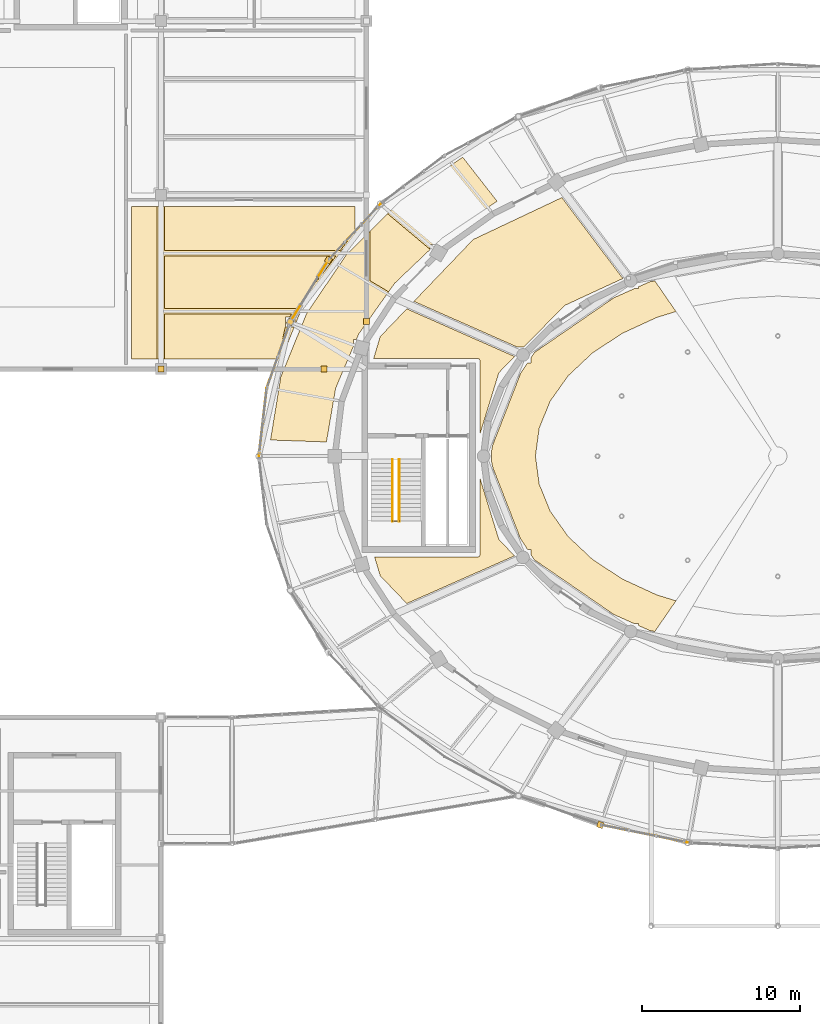
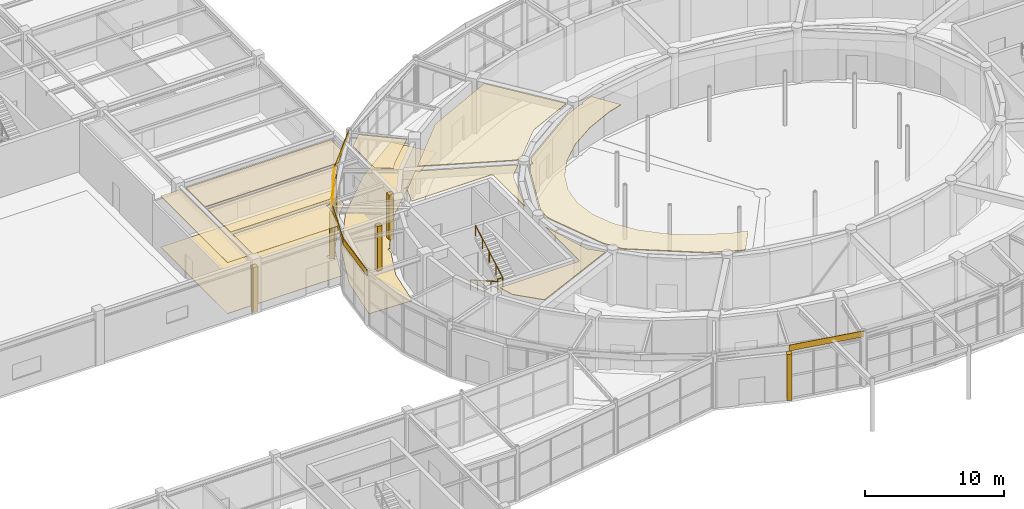
# One storey, part 100 of 108: 22 coverings, 3 railings.
"""IFC4 building model written with IfcOpenShell, lengths in metres."""

from ifc_helpers import new_model, si_unit, direction, frame, frame_2d, origin, origin_2d, place, context, subcontext, project, spatial, polyline, rectangle, circle, outline, extrude, material, layer, layer_set, type_object, element, save


model = new_model("IFC4")

# Units and contexts
model_context = context("Model", 3, precision=1e-05, world=origin(), true_north=direction((0.0, 1.0)))
body_context = subcontext(model_context, "Body", "Model", "MODEL_VIEW")
ifc_project = project(units=[si_unit("LENGTHUNIT", "METRE"), si_unit("AREAUNIT", "SQUARE_METRE"), si_unit("VOLUMEUNIT", "CUBIC_METRE"), si_unit("PLANEANGLEUNIT", "RADIAN"), si_unit("MASSUNIT", "GRAM", prefix="KILO")], contexts=[model_context])

# Site, building, storey
site_placement = place(None, origin())
site = spatial("IfcSite", under=ifc_project, at=site_placement, CompositionType="ELEMENT")
building_placement = place(site_placement, origin())
building = spatial("IfcBuilding", under=site, at=building_placement, Name="Tarnveldt Headland Concert Hall", CompositionType="ELEMENT")
storey_placement = place(building_placement, origin())
storey = spatial("IfcBuildingStorey", under=building, at=storey_placement, Name="L00", CompositionType="ELEMENT", Elevation=0.0)

# Coverings
ifc_material_1 = material(Name="Micro-perforated mvule acoustic ceiling panel", Category="timber")
ifc_layer_1 = layer(ifc_material_1, 0.050048828125, Name="Micro-perforated mvule acoustic ceiling panel", Category="timber")
ifc_layer_set_1 = layer_set([ifc_layer_1], Name="Micro-perforated mvule acoustic ceiling panel")
covering_type_1 = type_object("IfcCoveringType", Name="CV-CEIL50", PredefinedType="CEILING", material=ifc_layer_set_1)
covering_1_placement = place(storey_placement, frame((0.0, 0.0, 4.469970703125)))
element("IfcCovering", 1, at=covering_1_placement, inside=storey, type_object=covering_type_1, Name="Acoustic mvule ceiling L00-10-3", PredefinedType="CEILING", context=body_context, shape_type="SweptSolid", body=[
    extrude(outline(polyline([(64.5, 48.1201171875), (64.517578125, 48.120849609375), (64.53515625, 48.12353515625), (64.55224609375, 48.127685546875), (64.56884765625, 48.1337890625), (64.5849609375, 48.141357421875), (64.60009765625, 48.150390625), (64.6142578125, 48.160888671875), (64.627197265625, 48.172607421875), (64.63916015625, 48.185791015625), (64.649658203125, 48.199951171875), (64.65869140625, 48.215087890625), (64.666259765625, 48.231201171875), (64.672119140625, 48.247802734375), (64.676513671875, 48.264892578125), (64.67919921875, 48.282470703125), (64.679931640625, 48.300048828125), (64.679931640625, 53.08154296875), (65.8544921875, 49.262939453125), (65.8603515625, 49.246826171875), (65.86767578125, 49.2314453125), (65.87646484375, 49.216796875), (65.886474609375, 49.202880859375), (65.89794921875, 49.190185546875), (66.865234375, 48.20068359375), (60.0458984375, 45.184814453125), (58.369384765625, 46.934814453125), (58.01220703125, 48.1201171875), (64.5, 48.1201171875)])), origin(), (0.0, 0.0, 1.0), 0.050048828125),
])
covering_2_placement = place(storey_placement, frame((0.0, 0.0, 4.469970703125)))
element("IfcCovering", 2, at=covering_2_placement, inside=storey, type_object=covering_type_1, Name="Acoustic mvule ceiling L00-11-13", PredefinedType="CEILING", context=body_context, shape_type="SweptSolid", body=[
    extrude(outline(polyline([(70.03369140625, 64.0302734375), (70.019775390625, 64.021484375), (70.0068359375, 64.011474609375), (69.9951171875, 64.000244140625), (67.45263671875, 61.39990234375), (67.015380859375, 61.39990234375), (60.49462890625, 64.28369140625), (64.24658203125, 68.2001953125), (69.850341796875, 70.848876953125), (73.699951171875, 65.74169921875), (73.699951171875, 65.72900390625), (70.048095703125, 64.03759765625), (70.03369140625, 64.0302734375)])), origin(), (0.0, 0.0, 1.0), 0.050048828125),
])
covering_3_placement = place(storey_placement, frame((0.0, 0.0, 4.469970703125)))
element("IfcCovering", 3, at=covering_3_placement, inside=storey, type_object=covering_type_1, Name="Acoustic mvule ceiling L00-11-14", PredefinedType="CEILING", context=body_context, shape_type="SweptSolid", body=[
    extrude(outline(polyline([(65.886474609375, 59.797119140625), (65.87646484375, 59.783203125), (65.86767578125, 59.7685546875), (65.8603515625, 59.753173828125), (65.8544921875, 59.737060546875), (64.679931640625, 55.91845703125), (64.679931640625, 60.5), (64.67919921875, 60.517578125), (64.676513671875, 60.53515625), (64.672119140625, 60.55224609375), (64.666259765625, 60.56884765625), (64.65869140625, 60.5849609375), (64.649658203125, 60.60009765625), (64.63916015625, 60.6142578125), (64.627197265625, 60.627197265625), (64.6142578125, 60.63916015625), (64.60009765625, 60.649658203125), (64.5849609375, 60.65869140625), (64.56884765625, 60.666259765625), (64.55224609375, 60.672119140625), (64.53515625, 60.676513671875), (64.517578125, 60.67919921875), (64.5, 60.679931640625), (57.951904296875, 60.679931640625), (58.369384765625, 62.065185546875), (60.0458984375, 63.815185546875), (66.865234375, 60.79931640625), (65.89794921875, 59.809814453125), (65.886474609375, 59.797119140625)])), origin(), (0.0, 0.0, 1.0), 0.050048828125),
])
covering_4_placement = place(storey_placement, frame((0.0, 0.0, 4.469970703125)))
element("IfcCovering", 4, at=covering_4_placement, inside=storey, type_object=covering_type_1, Name="Acoustic mvule ceiling L00-14-28", PredefinedType="CEILING", context=body_context, shape_type="SweptSolid", body=[
    extrude(outline(polyline([(59.2685546875, 65.41455078125), (58.89697265625, 64.890625), (57.72998046875, 65.583251953125), (57.72998046875, 68.741943359375), (58.82421875, 69.834716796875), (61.524169921875, 67.569091796875), (59.291259765625, 65.440673828125), (59.279296875, 65.42822265625), (59.2685546875, 65.41455078125)])), origin(), (0.0, 0.0, 1.0), 0.050048828125),
])
covering_5_placement = place(storey_placement, frame((0.0, 0.0, 4.469970703125)))
element("IfcCovering", 5, at=covering_5_placement, inside=storey, type_object=covering_type_1, Name="Acoustic mvule ceiling L00-27-72", PredefinedType="CEILING", context=body_context, shape_type="SweptSolid", body=[
    extrude(outline(polyline([(44.72998046875, 63.501953125), (52.78564453125, 63.501953125), (52.6201171875, 63.285400390625), (52.375, 63.285400390625), (52.375, 62.694580078125), (51.893310546875, 60.6298828125), (44.72998046875, 60.6298828125), (44.72998046875, 63.501953125)])), origin(), (0.0, 0.0, 1.0), 0.050048828125),
])
covering_6_placement = place(storey_placement, frame((0.0, 0.0, 4.469970703125)))
element("IfcCovering", 6, at=covering_6_placement, inside=storey, type_object=covering_type_1, Name="Acoustic mvule ceiling L00-27-73", PredefinedType="CEILING", context=body_context, shape_type="SweptSolid", body=[
    extrude(outline(polyline([(55.8369140625, 67.498046875), (44.72998046875, 67.498046875), (44.72998046875, 70.27001953125), (56.77001953125, 70.27001953125), (56.77001953125, 68.7197265625), (55.8369140625, 67.498046875)])), origin(), (0.0, 0.0, 1.0), 0.050048828125),
])
covering_7_placement = place(storey_placement, frame((0.0, 0.0, 4.469970703125)))
element("IfcCovering", 7, at=covering_7_placement, inside=storey, type_object=covering_type_1, Name="Acoustic mvule ceiling L00-27-74", PredefinedType="CEILING", context=body_context, shape_type="SweptSolid", body=[
    extrude(outline(polyline([(44.72998046875, 67.16796875), (55.5849609375, 67.16796875), (53.03759765625, 63.83203125), (44.72998046875, 63.83203125), (44.72998046875, 67.16796875)])), origin(), (0.0, 0.0, 1.0), 0.050048828125),
])
covering_8_placement = place(storey_placement, frame((0.0, 0.0, 4.469970703125)))
element("IfcCovering", 8, at=covering_8_placement, inside=storey, type_object=covering_type_1, Name="Acoustic mvule ceiling L00-27-75", PredefinedType="CEILING", context=body_context, shape_type="SweptSolid", body=[
    extrude(outline(polyline([(42.6298828125, 60.6298828125), (42.6298828125, 70.27001953125), (44.27001953125, 70.27001953125), (44.27001953125, 60.6298828125), (42.6298828125, 60.6298828125)])), origin(), (0.0, 0.0, 1.0), 0.050048828125),
])
ifc_layer_2 = layer(ifc_material_1, 0.06494140625, Name="Micro-perforated mvule acoustic ceiling panel", Category="timber")
ifc_layer_set_2 = layer_set([ifc_layer_2], Name="Micro-perforated mvule acoustic ceiling panel")
covering_type_2 = type_object("IfcCoveringType", Name="CV-CEIL65", PredefinedType="CEILING", material=ifc_layer_set_2)
covering_9_placement = place(storey_placement, frame((0.0, 0.0, 4.455078125)))
element("IfcCovering", 9, at=covering_9_placement, inside=storey, type_object=covering_type_2, Name="Acoustic mvule ceiling L00-08-1", PredefinedType="CEILING", context=body_context, shape_type="SweptSolid", body=[
    extrude(outline(polyline([(75.727783203125, 43.41796875), (75.39453125, 43.4794921875), (74.699951171875, 43.789306640625), (74.699951171875, 43.914794921875), (74.41845703125, 43.914794921875), (73.135009765625, 44.487548828125), (68.118408203125, 47.93994140625), (67.891845703125, 48.281982421875), (67.891845703125, 48.60009765625), (67.68115234375, 48.60009765625), (67.236083984375, 49.271728515625), (65.488037109375, 53.761474609375), (65.39990234375, 54.183349609375), (65.39990234375, 54.816650390625), (65.488037109375, 55.238525390625), (67.236083984375, 59.728271484375), (67.68115234375, 60.39990234375), (67.891845703125, 60.39990234375), (67.891845703125, 60.718017578125), (68.118408203125, 61.06005859375), (73.135009765625, 64.512451171875), (74.41845703125, 65.085205078125), (74.699951171875, 65.085205078125), (74.699951171875, 65.210693359375), (75.39453125, 65.5205078125), (75.727783203125, 65.58203125), (77.063720703125, 63.642822265625), (75.86474609375, 63.27490234375), (75.849853515625, 63.269287109375), (73.679443359375, 62.269287109375), (73.67138671875, 62.265380859375), (73.66357421875, 62.2607421875), (71.7900390625, 61.0283203125), (71.78173828125, 61.022216796875), (71.77392578125, 61.015380859375), (70.254150390625, 59.58740234375), (70.245849609375, 59.578857421875), (70.238525390625, 59.5693359375), (69.118896484375, 57.989501953125), (69.111572265625, 57.977783203125), (69.105712890625, 57.965576171875), (68.419921875, 56.28173828125), (68.416259765625, 56.272216796875), (68.413818359375, 56.26220703125), (68.411865234375, 56.252197265625), (68.180908203125, 54.515869140625), (68.18017578125, 54.50537109375), (68.18017578125, 54.49462890625), (68.180908203125, 54.484130859375), (68.411865234375, 52.747802734375), (68.413818359375, 52.73779296875), (68.416259765625, 52.727783203125), (68.419921875, 52.71826171875), (69.105712890625, 51.034423828125), (69.111572265625, 51.022216796875), (69.118896484375, 51.010498046875), (70.238525390625, 49.4306640625), (70.245849609375, 49.421142578125), (70.254150390625, 49.41259765625), (71.77392578125, 47.984619140625), (71.78173828125, 47.977783203125), (71.7900390625, 47.9716796875), (73.66357421875, 46.7392578125), (73.67138671875, 46.734619140625), (73.679443359375, 46.730712890625), (75.849853515625, 45.730712890625), (75.86474609375, 45.72509765625), (77.063720703125, 45.357177734375), (75.727783203125, 43.41796875)])), origin(), (0.0, 0.0, 1.0), 0.06494140625),
])
ifc_material_2 = material(Name="Treated East African mvule hardwood", Category="wood")
ifc_layer_3 = layer(ifc_material_2, 0.044921875, Name="Treated East African mvule hardwood", Category="wood")
ifc_layer_set_3 = layer_set([ifc_layer_3], Name="Treated East African mvule hardwood")
covering_type_3 = type_object("IfcCoveringType", Name="CV-CLAD45", PredefinedType="CLADDING", material=ifc_layer_set_3)
covering_10_placement = place(storey_placement, frame((58.373779296875, 70.441162109375, 4.219970703125), z_axis=(0.0, 0.0, 1.0), x_axis=(-0.67944736966, -0.733724247835, 0.0)))
element("IfcCovering", 10, at=covering_10_placement, inside=storey, type_object=covering_type_3, Name="Mvule hardwood fascia band L00-15", PredefinedType="CLADDING", context=body_context, shape_type="SweptSolid", body=[
    extrude(rectangle(XDim=4.826416015625, YDim=0.044921875, at=frame_2d((2.4130859375, 0.0))), origin(), (0.0, 0.0, 1.0), 0.52001953125),
])
covering_11_placement = place(storey_placement, frame((55.094482421875, 66.89990234375, 4.219970703125), z_axis=(0.0, 0.0, 1.0), x_axis=(-0.524979001727, -0.851115178895, 0.0)))
element("IfcCovering", 11, at=covering_11_placement, inside=storey, type_object=covering_type_3, Name="Mvule hardwood fascia band L00-16", PredefinedType="CLADDING", context=body_context, shape_type="SweptSolid", body=[
    extrude(rectangle(XDim=4.60302734375, YDim=0.044921875, at=frame_2d((2.301513671875, 0.0))), origin(), (0.0, 0.0, 1.0), 0.52001953125),
])
covering_12_placement = place(storey_placement, frame((52.677978515625, 62.982177734375, 4.219970703125), z_axis=(0.0, 0.0, 1.0), x_axis=(-0.334010357608, -0.942569403816, 0.0)))
element("IfcCovering", 12, at=covering_12_placement, inside=storey, type_object=covering_type_3, Name="Mvule hardwood fascia band L00-17", PredefinedType="CLADDING", context=body_context, shape_type="SweptSolid", body=[
    extrude(rectangle(XDim=4.43017578125, YDim=0.044921875, at=frame_2d((2.215087890625, 0.0))), origin(), (0.0, 0.0, 1.0), 0.52001953125),
])
covering_13_placement = place(storey_placement, frame((51.1982421875, 58.806396484375, 4.219970703125), z_axis=(0.0, 0.0, 1.0), x_axis=(-0.11494260035, -0.993372135015, 0.0)))
element("IfcCovering", 13, at=covering_13_placement, inside=storey, type_object=covering_type_3, Name="Mvule hardwood fascia band L00-18", PredefinedType="CLADDING", context=body_context, shape_type="SweptSolid", body=[
    extrude(rectangle(XDim=4.335205078125, YDim=0.044921875, at=frame_2d((2.16748046875, 0.0))), origin(), (0.0, 0.0, 1.0), 0.52001953125),
])
covering_14_placement = place(storey_placement, frame((72.28173828125, 31.195556640625, 4.219970703125), z_axis=(0.0, 0.0, 1.0), x_axis=(0.980094417088, -0.198531946026, 0.0)))
element("IfcCovering", 14, at=covering_14_placement, inside=storey, type_object=covering_type_3, Name="Mvule hardwood fascia band L00-26", PredefinedType="CLADDING", context=body_context, shape_type="SweptSolid", body=[
    extrude(rectangle(XDim=5.634521484375, YDim=0.044921875, at=frame_2d((2.8173828125, 0.0))), origin(), (0.0, 0.0, 1.0), 0.52001953125),
])
ifc_material_3 = material(Name="Polished coral-aggregate cementitious terrazzo flooring", Category="concrete")
ifc_layer_4 = layer(ifc_material_3, 0.034912109375, Name="Polished coral-aggregate cementitious terrazzo flooring", Category="concrete")
ifc_layer_set_4 = layer_set([ifc_layer_4], Name="Polished coral-aggregate cementitious terrazzo flooring")
covering_type_4 = type_object("IfcCoveringType", Name="CV-FLOR35", PredefinedType="FLOORING", material=ifc_layer_set_4)
covering_15_placement = place(storey_placement, origin())
element("IfcCovering", 15, at=covering_15_placement, inside=storey, type_object=covering_type_4, Name="Architectural flooring L00-14-7", PredefinedType="FLOORING", context=body_context, shape_type="SweptSolid", body=[
    extrude(outline(polyline([(62.281982421875, 68.290771484375), (62.2705078125, 68.280517578125), (61.85107421875, 67.880859375), (61.52587890625, 67.880859375), (61.52587890625, 67.57080078125), (59.291259765625, 65.440673828125), (59.279296875, 65.42822265625), (59.2685546875, 65.41455078125), (57.021240234375, 62.24609375), (57.010986328125, 62.229736328125), (57.00244140625, 62.21240234375), (56.8544921875, 61.865478515625), (56.66357421875, 61.865478515625), (56.66357421875, 61.41650390625), (55.554931640625, 58.81201171875), (55.5478515625, 58.792236328125), (55.543212890625, 58.771728515625), (54.96630859375, 55.397216796875), (51.430419921875, 55.52099609375), (52.080078125, 59.50341796875), (53.711669921875, 63.517578125), (56.247314453125, 67.26171875), (59.612548828125, 70.62158203125), (63.577392578125, 73.4033203125), (65.754150390625, 70.6171875), (62.29443359375, 68.2998046875), (62.281982421875, 68.290771484375)])), origin(), (0.0, 0.0, 1.0), 0.034912109375),
])
covering_16_placement = place(storey_placement, origin())
element("IfcCovering", 16, at=covering_16_placement, inside=storey, type_object=covering_type_4, Name="Architectural flooring L00-27-20", PredefinedType="FLOORING", context=body_context, shape_type="SweptSolid", body=[
    extrude(outline(polyline([(56.77001953125, 70.27001953125), (56.77001953125, 68.348876953125), (55.952392578125, 67.53271484375), (55.9453125, 67.525146484375), (55.94287109375, 67.5224609375), (55.9326171875, 67.509765625), (55.930419921875, 67.506591796875), (55.92578125, 67.500244140625), (53.369873046875, 63.726318359375), (53.365234375, 63.71923828125), (53.363037109375, 63.715576171875), (53.354736328125, 63.700439453125), (53.35302734375, 63.69677734375), (53.34814453125, 63.685791015625), (52.981201171875, 62.782958984375), (52.981201171875, 63.285400390625), (52.375, 63.285400390625), (52.375, 62.678955078125), (52.93896484375, 62.678955078125), (52.1064453125, 60.6298828125), (42.6298828125, 60.6298828125), (42.6298828125, 70.27001953125), (56.77001953125, 70.27001953125)])), origin(), (0.0, 0.0, 1.0), 0.034912109375),
])
ifc_material_4 = material(Name="Coral-toned precast concrete C40/50", Category="concrete")
ifc_layer_5 = layer(ifc_material_4, 0.360107421875, Name="Coral-toned precast concrete C40/50", Category="concrete")
ifc_layer_set_5 = layer_set([ifc_layer_5], Name="Coral-toned precast concrete C40/50")
covering_type_5 = type_object("IfcCoveringType", Name="CV-JNT360", PredefinedType="CLADDING", material=ifc_layer_set_5)
for number, where, z_axis, x_axis, name in (
    (17, (44.5, 60.0, 0.0), (0.0, 0.0, 1.0), (-1.0, 0.0, 0.0), "Precast facade joint closure pilaster L00-136"),
    (18, (52.677978515625, 62.982177734375, 0.0), (0.0, 0.0, 1.0), (0.524877544859, 0.851177750474, 0.0), "Precast facade joint closure pilaster L00-139"),
    (19, (54.800048828125, 60.0, 0.0), (0.0, 0.0, 1.0), (-1.0, 0.0, 0.0), "Precast facade joint closure pilaster L00-140"),
    (20, (55.094482421875, 66.89990234375, 0.0), (0.0, 0.0, 1.0), (0.524877544859, 0.851177750474, 0.0), "Precast facade joint closure pilaster L00-142"),
    (21, (57.5, 63.0, 0.0), (0.0, 0.0, 1.0), (0.0, -1.0, 0.0), "Precast facade joint closure pilaster L00-143"),
):
    element("IfcCovering", number, at=place(storey_placement, frame(where, z_axis=z_axis, x_axis=x_axis)), inside=storey, type_object=covering_type_5, Name=name, PredefinedType="CLADDING", context=body_context, shape_type="SweptSolid", body=[
        extrude(rectangle(XDim=0.3798828125, YDim=0.3798828125, at=origin_2d()), origin(), (0.0, 0.0, 1.0), 3.9580078125),
    ])
covering_17_placement = place(storey_placement, frame((72.28173828125, 31.195556640625, 0.0), z_axis=(0.0, 0.0, 1.0), x_axis=(-0.943106654378, 0.33249035846, 0.0)))
element("IfcCovering", 22, at=covering_17_placement, inside=storey, type_object=covering_type_5, Name="Precast facade joint closure pilaster L00-151", PredefinedType="CLADDING", context=body_context, shape_type="SweptSolid", body=[
    extrude(rectangle(XDim=0.3798828125, YDim=0.3798828125, at=origin_2d()), origin(), (0.0, 0.0, 1.0), 4.05810546875),
])

# Railings
ifc_material_5 = material(Name="Marine stainless steel", Category="steel")
ifc_layer_6 = layer(ifc_material_5, 0.06005859375, Name="Marine stainless steel", Category="steel")
ifc_layer_set_6 = layer_set([ifc_layer_6], Name="Marine stainless steel")
railing_type_1 = type_object("IfcRailingType", Name="RL-GRD110", PredefinedType="GUARDRAIL", material=ifc_layer_set_6)
railing_1_placement = place(storey_placement, frame((59.14990234375, 50.39990234375, 2.39990234375)))
element("IfcRailing", 23, at=railing_1_placement, inside=storey, type_object=railing_type_1, Name="GUARD STR-C1-L00 half-landing well", PredefinedType="GUARDRAIL", context=body_context, shape_type="SweptSolid", body=[
    extrude(circle(Radius=0.02392578125, at=origin_2d()), frame((0.0, 0.0, 1.076171875), z_axis=(1.0, 0.0, 0.0), x_axis=(0.0, 1.0, 0.0)), (0.0, 0.0, 1.0), 0.420166015625),
    extrude(circle(Radius=0.02099609375, at=origin_2d()), origin(), (0.0, 0.0, 1.0), 1.052001953125),
    extrude(circle(Radius=0.02099609375, at=origin_2d()), frame((0.420166015625, 0.0, 0.0)), (0.0, 0.0, 1.0), 1.052001953125),
])
ifc_layer_7 = layer(ifc_material_5, 0.048095703125, Name="Marine stainless steel", Category="steel")
ifc_layer_set_7 = layer_set([ifc_layer_7], Name="Marine stainless steel")
railing_type_2 = type_object("IfcRailingType", Name="RL-HND092", PredefinedType="HANDRAIL", material=ifc_layer_set_7)
railing_2_placement = place(storey_placement, frame((59.14990234375, 54.280029296875, 0.159912109375)))
element("IfcRailing", 24, at=railing_2_placement, inside=storey, type_object=railing_type_2, Name="HANDRAIL STR-C1-L00 flight 1", PredefinedType="HANDRAIL", context=body_context, shape_type="SweptSolid", body=[
    extrude(circle(Radius=0.02392578125, at=origin_2d()), frame((0.0, 0.0, 0.89599609375), z_axis=(0.0, -0.868239814368, 0.496144761885), x_axis=(1.0, 0.0, 0.0)), (0.0, 0.0, 1.0), 4.514892578125),
    extrude(circle(Radius=0.02099609375, at=origin_2d()), origin(), (0.0, 0.0, 1.0), 0.871826171875),
    extrude(circle(Radius=0.02099609375, at=origin_2d()), frame((0.0, -0.97998046875, 0.56005859375)), (0.0, 0.0, 1.0), 0.871826171875),
    extrude(circle(Radius=0.02099609375, at=origin_2d()), frame((0.0, -1.9599609375, 1.1201171875)), (0.0, 0.0, 1.0), 0.871826171875),
    extrude(circle(Radius=0.02099609375, at=origin_2d()), frame((0.0, -2.93994140625, 1.679931640625)), (0.0, 0.0, 1.0), 0.871826171875),
    extrude(circle(Radius=0.02099609375, at=origin_2d()), frame((0.0, -3.919921875, 2.239990234375)), (0.0, 0.0, 1.0), 0.871826171875),
])
railing_3_placement = place(storey_placement, frame((59.570068359375, 50.360107421875, 2.56005859375)))
element("IfcRailing", 25, at=railing_3_placement, inside=storey, type_object=railing_type_2, Name="HANDRAIL STR-C1-L00 flight 2", PredefinedType="HANDRAIL", context=body_context, shape_type="SweptSolid", body=[
    extrude(circle(Radius=0.02392578125, at=origin_2d()), frame((0.0, 0.0, 0.89599609375), z_axis=(0.0, 0.868239814368, 0.496144761885), x_axis=(-1.0, 0.0, 0.0)), (0.0, 0.0, 1.0), 4.514892578125),
    extrude(circle(Radius=0.02099609375, at=origin_2d()), origin(), (0.0, 0.0, 1.0), 0.871826171875),
    extrude(circle(Radius=0.02099609375, at=origin_2d()), frame((0.0, 0.97998046875, 0.56005859375)), (0.0, 0.0, 1.0), 0.871826171875),
    extrude(circle(Radius=0.02099609375, at=origin_2d()), frame((0.0, 1.9599609375, 1.1201171875)), (0.0, 0.0, 1.0), 0.871826171875),
    extrude(circle(Radius=0.02099609375, at=origin_2d()), frame((0.0, 2.93994140625, 1.679931640625)), (0.0, 0.0, 1.0), 0.871826171875),
    extrude(circle(Radius=0.02099609375, at=origin_2d()), frame((0.0, 3.919921875, 2.239990234375)), (0.0, 0.0, 1.0), 0.871826171875),
])

save(model, "model.ifc")
